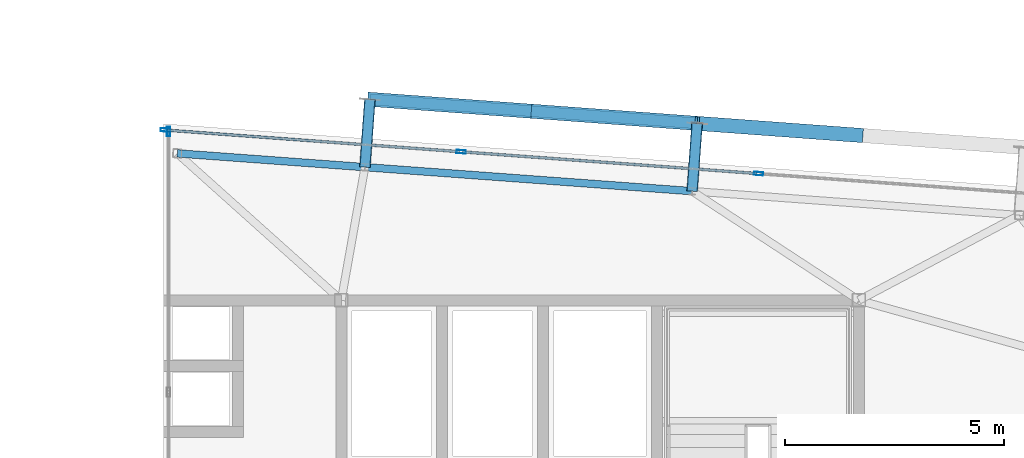
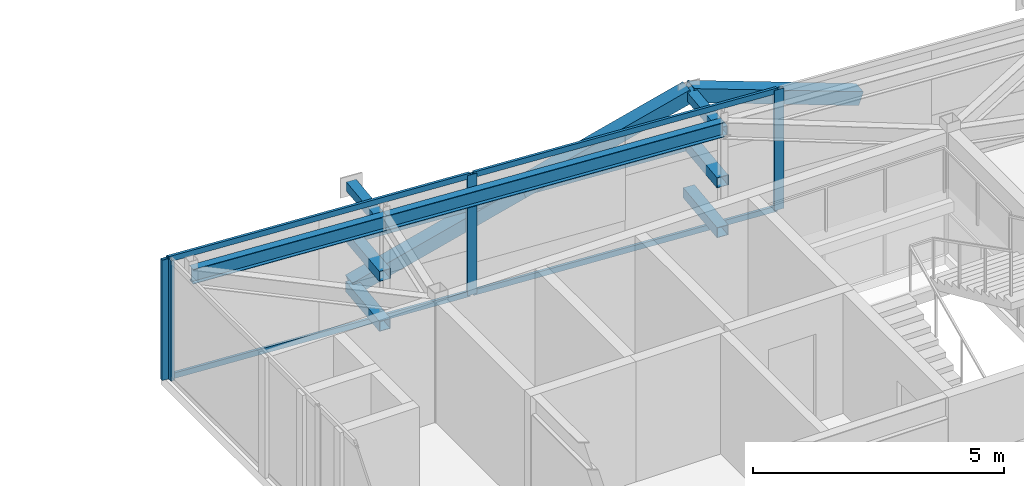
# One storey, part 25 of 39: 18 members, 2 beams, 2 elements without a shape of their own.
"""IFC4 building model written with IfcOpenShell, lengths in metres."""

from ifc_helpers import new_model, si_unit, direction, frame, origin, origin_2d, place, context, subcontext, project, spatial, hollow_rectangle, i_section, extrude, source, transform, mapped, material, layer, layer_set, material_profile, profile_set, type_object, element, aggregate, save


model = new_model("IFC4")

# Units and contexts
model_context = context("Model", 3, precision=1e-05, world=origin(), true_north=direction((0.0, 1.0)))
body_context = subcontext(model_context, "Body", "Model", "MODEL_VIEW")
ifc_project = project(units=[si_unit("LENGTHUNIT", "METRE"), si_unit("AREAUNIT", "SQUARE_METRE"), si_unit("VOLUMEUNIT", "CUBIC_METRE"), si_unit("PLANEANGLEUNIT", "RADIAN"), si_unit("MASSUNIT", "GRAM", prefix="KILO")], contexts=[model_context])

# Site, building, storey
site_placement = place(None, origin())
site = spatial("IfcSite", under=ifc_project, at=site_placement, CompositionType="ELEMENT")
building_placement = place(site_placement, origin())
building = spatial("IfcBuilding", under=site, at=building_placement, Name="Taldren Reach Tower", CompositionType="ELEMENT")
storey_placement = place(building_placement, frame((0.0, 0.0, 230.300048828125)))
storey = spatial("IfcBuildingStorey", under=building, at=storey_placement, Name="L70", CompositionType="ELEMENT", Elevation=230.300048828125)

# Members
ifc_material_1 = material(Name="Steel Gr 350 (C350L0)", Category="steel")
ifc_material_profile_1 = material_profile(ifc_material_1, hollow_rectangle(XDim=0.25, YDim=0.25, WallThickness=0.010009765625, at=origin_2d()), Name="250x250x10.0SHS")
ifc_profile_set_1 = profile_set([ifc_material_profile_1], Name="Steel Gr 350 (C350L0)")
member_type_1 = type_object("IfcMemberType", Name="MB-POST250", PredefinedType="POST", material=ifc_profile_set_1)
shared_shape_1 = source(origin(), body_context, "Body", "SweptSolid", [
    extrude(hollow_rectangle(XDim=0.25, YDim=0.25, WallThickness=0.010009765625, at=origin_2d()), origin(), (0.0, 0.0, 1.0), 1.550048828125),
])
for number, where, z_axis, x_axis, name in (
    (1, (39.739501953125, 35.035400390625, 0.219970703125), (0.07323929162, 0.997314396849, 0.0), (-0.997314396849, 0.07323929162, 0.0), "Exoskeleton base diaphragm tie strut B5-N4 L70"),
    (2, (47.199462890625, 34.487548828125, 0.219970703125), (0.07323929162, 0.997314396849, 0.0), (-0.997314396849, 0.07323929162, 0.0), "Exoskeleton base diaphragm tie strut B5-N5 L70"),
    (3, (39.739501953125, 35.035400390625, 1.43505859375), (0.07323929162, 0.997314396849, 0.0), (-0.997314396849, 0.07323929162, 0.0), "Exoskeleton mid-tier diaphragm tie B5-N4 L70"),
    (4, (47.199462890625, 34.487548828125, 1.43505859375), (0.07323929162, 0.997314396849, 0.0), (-0.997314396849, 0.07323929162, 0.0), "Exoskeleton mid-tier diaphragm tie B5-N5 L70"),
):
    element("IfcMember", number, at=place(storey_placement, frame(where, z_axis=z_axis, x_axis=x_axis)), inside=storey, type_object=member_type_1, Name=name, PredefinedType="POST", context=body_context, shape_type="MappedRepresentation", body=[
        mapped(shared_shape_1, transform((0.0, 0.0, 0.0), scale=1.0)),
    ])
ifc_material_2 = material(Name="Steel Gr 450 (C450L0)", Category="steel")
ifc_material_profile_2 = material_profile(ifc_material_2, hollow_rectangle(XDim=0.219970703125, YDim=0.219970703125, WallThickness=0.00830078125, at=origin_2d()), Name="220x220x8.2SHS")
ifc_profile_set_2 = profile_set([ifc_material_profile_2], Name="Steel Gr 450 (C450L0)")
member_type_2 = type_object("IfcMemberType", Name="MB-TIE219", PredefinedType="STRUT", material=ifc_profile_set_2)
shared_shape_2 = source(origin(), body_context, "Body", "SweptSolid", [
    extrude(hollow_rectangle(XDim=0.219970703125, YDim=0.219970703125, WallThickness=0.00830078125, at=origin_2d()), origin(), (0.0, 0.0, 1.0), 1.550048828125),
])
for number, where, z_axis, x_axis, name in (
    (5, (39.739501953125, 35.035400390625, 2.64990234375), (0.07323929162, 0.997314396849, 0.0), (-0.997314396849, 0.07323929162, 0.0), "Exoskeleton diaphragm tie strut B5-N4 L70"),
    (6, (47.199462890625, 34.487548828125, 2.64990234375), (0.07323929162, 0.997314396849, 0.0), (-0.997314396849, 0.07323929162, 0.0), "Exoskeleton diaphragm tie strut B5-N5 L70"),
):
    element("IfcMember", number, at=place(storey_placement, frame(where, z_axis=z_axis, x_axis=x_axis)), inside=storey, type_object=member_type_2, Name=name, PredefinedType="STRUT", context=body_context, shape_type="MappedRepresentation", body=[
        mapped(shared_shape_2, transform((0.0, 0.0, 0.0), scale=1.0)),
    ])

# Beams
ifc_material_3 = material(Name="Steel Gr 350 (350PLUS)", Category="steel")
ifc_material_profile_3 = material_profile(ifc_material_3, i_section(OverallWidth=0.172119140625, OverallDepth=0.35888671875, WebThickness=0.008056640625, FlangeThickness=0.012939453125, at=origin_2d()), Name="360UB56.7")
ifc_profile_set_3 = profile_set([ifc_material_profile_3], Name="Steel Gr 350 (350PLUS)")
beam_type = type_object("IfcBeamType", Name="SP-UB360", PredefinedType="SPANDREL", material=ifc_profile_set_3)
shared_shape_3 = source(origin(), body_context, "Body", "SweptSolid", [
    extrude(i_section(OverallWidth=0.172119140625, OverallDepth=0.35888671875, WebThickness=0.008056640625, FlangeThickness=0.012939453125, at=origin_2d()), origin(), (0.0, 0.0, 1.0), 7.47998046875),
])
beam_1_placement = place(storey_placement, frame((47.199462890625, 34.487548828125, 2.75048828125), z_axis=(-0.997314220642, 0.07324169103, 0.0), x_axis=(-0.07324169103, -0.997314220642, 0.0)))
element("IfcBeam", 7, at=beam_1_placement, inside=storey, type_object=beam_type, Name="Perimeter spandrel B5 N5-N4 L70", PredefinedType="SPANDREL", context=body_context, shape_type="MappedRepresentation", body=[
    mapped(shared_shape_3, transform((0.0, 0.0, 0.0), scale=1.0)),
])
shared_shape_4 = source(origin(), body_context, "Body", "SweptSolid", [
    extrude(i_section(OverallWidth=0.172119140625, OverallDepth=0.35888671875, WebThickness=0.008056640625, FlangeThickness=0.012939453125, at=origin_2d()), origin(), (0.0, 0.0, 1.0), 4.2900390625),
])
beam_2_placement = place(storey_placement, frame((39.739501953125, 35.035400390625, 2.75048828125), z_axis=(-0.997314292471, 0.073240712948, 0.0), x_axis=(-0.073240712948, -0.997314292471, 0.0)))
element("IfcBeam", 8, at=beam_2_placement, inside=storey, type_object=beam_type, Name="Perimeter spandrel B5 N4-PJN2 L70", PredefinedType="SPANDREL", context=body_context, shape_type="MappedRepresentation", body=[
    mapped(shared_shape_4, transform((0.0, 0.0, 0.0), scale=1.0)),
])

# Members
ifc_material_profile_4 = material_profile(ifc_material_2, hollow_rectangle(XDim=0.324951171875, YDim=0.324951171875, WallThickness=0.0126953125, at=origin_2d()), Name="325x325x12.7SHS")
ifc_profile_set_4 = profile_set([ifc_material_profile_4], Name="Steel Gr 450 (C450L0)")
member_type_3 = type_object("IfcMemberType", Name="MB-BR324", PredefinedType="BRACE", material=ifc_profile_set_4)
shared_shape_5 = source(origin(), body_context, "Body", "SweptSolid", [
    extrude(hollow_rectangle(XDim=0.324951171875, YDim=0.324951171875, WallThickness=0.0126953125, at=origin_2d()), origin(), (0.0, 0.0, 1.0), 3.932373046875),
])
for number, where, z_axis, x_axis, name in (
    (9, (39.85302734375, 36.581298828125, 0.219970703125), (0.948511132845, -0.069657644394, 0.308989390507), (0.07324169103, 0.997314220642, 0.0), "Exoskeleton Diagrid Brace B5-N3 L70"),
    (10, (43.5830078125, 36.307373046875, 1.43505859375), (0.948529326954, -0.06965898055, 0.308933232813), (0.07324169103, 0.997314220642, 0.0), "Exoskeleton Diagrid Brace B5-N3 L70"),
    (11, (51.04296875, 35.759521484375, 1.43505859375), (-0.948529326954, 0.06965898055, 0.308933232813), (-0.07324169103, -0.997314220642, 0.0), "Exoskeleton Diagrid Brace B5-N4 L70"),
):
    element("IfcMember", number, at=place(storey_placement, frame(where, z_axis=z_axis, x_axis=x_axis)), inside=storey, type_object=member_type_3, Name=name, PredefinedType="BRACE", context=body_context, shape_type="MappedRepresentation", body=[
        mapped(shared_shape_5, transform((0.0, 0.0, 0.0), scale=1.0)),
    ])
shared_shape_6 = source(origin(), body_context, "Body", "SweptSolid", [
    extrude(hollow_rectangle(XDim=0.25, YDim=0.25, WallThickness=0.010009765625, at=origin_2d()), origin(), (0.0, 0.0, 1.0), 7.47998046875),
])
member_1_placement = place(storey_placement, frame((39.85302734375, 36.581298828125, 1.43505859375), z_axis=(0.997314220642, -0.07324169103, 0.0), x_axis=(0.07324169103, 0.997314220642, 0.0)))
element("IfcMember", 12, at=member_1_placement, inside=storey, type_object=member_type_1, Name="Exoskeleton mid-height ring chord B5-N3 L70", PredefinedType="POST", context=body_context, shape_type="MappedRepresentation", body=[
    mapped(shared_shape_6, transform((0.0, 0.0, 0.0), scale=1.0)),
])

# Curtain wall, members
ifc_material_4 = material(Name="Aluminium and Low-E Glass Unitised System", Category="aluminium")
ifc_layer = layer(ifc_material_4, 0.159912109375)
ifc_layer_set = layer_set([ifc_layer], Name="Aluminium and Low-E Glass Unitised System")
curtain_wall_type = type_object("IfcCurtainWallType", Name="CW-SYS-7", PredefinedType="NOTDEFINED", material=ifc_layer_set)
curtain_wall_1_placement = place(storey_placement, origin())
curtain_wall_1 = element("IfcCurtainWall", 13, at=curtain_wall_1_placement, inside=storey, type_object=curtain_wall_type, Name="Unitised curtain wall CW-L70-NEWING", PredefinedType="NOTDEFINED")
ifc_material_5 = material(Name="Anodised Aluminium 6063-T6", Category="aluminium")
ifc_material_profile_5 = material_profile(ifc_material_5, hollow_rectangle(XDim=0.074951171875, YDim=0.2099609375, WallThickness=0.00439453125, at=origin_2d()), Name="ALU-210x75x4.5RHS")
ifc_profile_set_5 = profile_set([ifc_material_profile_5], Name="Anodised Aluminium 6063-T6")
member_type_4 = type_object("IfcMemberType", Name="CW-MUL-200", PredefinedType="MULLION", material=ifc_profile_set_5)
shared_shape_7 = source(origin(), body_context, "Body", "SweptSolid", [
    extrude(hollow_rectangle(XDim=0.074951171875, YDim=0.2099609375, WallThickness=0.00439453125, at=origin_2d()), origin(), (0.0, 0.0, 1.0), 2.929931640625),
])
member_2_placement = place(storey_placement, frame((48.713134765625, 34.8876953125, 0.0), z_axis=(0.0, 0.0, 1.0), x_axis=(-0.073238215265, -0.997314475893, 0.0)))
member_2 = element("IfcMember", 14, at=member_2_placement, type_object=member_type_4, Name="CW-7 mullion 2", PredefinedType="MULLION", context=body_context, shape_type="MappedRepresentation", body=[
    mapped(shared_shape_7, transform((0.0, 0.0, 0.0), scale=1.0)),
])
member_3_placement = place(storey_placement, frame((41.931396484375, 35.3857421875, 0.0), z_axis=(0.0, 0.0, 1.0), x_axis=(-0.073238215265, -0.997314475893, 0.0)))
member_3 = element("IfcMember", 15, at=member_3_placement, type_object=member_type_4, Name="CW-7 mullion 3", PredefinedType="MULLION", context=body_context, shape_type="MappedRepresentation", body=[
    mapped(shared_shape_7, transform((0.0, 0.0, 0.0), scale=1.0)),
])
member_4_placement = place(storey_placement, frame((35.1875, 35.881103515625, 0.0), z_axis=(0.0, 0.0, 1.0), x_axis=(-0.073238215265, -0.997314475893, 0.0)))
member_4 = element("IfcMember", 16, at=member_4_placement, type_object=member_type_4, Name="CW-7 mullion 4", PredefinedType="MULLION", context=body_context, shape_type="MappedRepresentation", body=[
    mapped(shared_shape_7, transform((0.0, 0.0, 0.0), scale=1.0)),
])

# Curtain wall, member
curtain_wall_2_placement = place(storey_placement, origin())
curtain_wall_2 = element("IfcCurtainWall", 17, at=curtain_wall_2_placement, inside=storey, type_object=curtain_wall_type, Name="Unitised curtain wall CW7-L70-PNE", PredefinedType="NOTDEFINED")
member_5_placement = place(storey_placement, frame((35.260009765625, 35.84619140625, 0.0), z_axis=(0.0, 0.0, 1.0), x_axis=(1.0, 0.0, 0.0)))
member_5 = element("IfcMember", 18, at=member_5_placement, type_object=member_type_4, Name="CW-7 mullion 1", PredefinedType="MULLION", context=body_context, shape_type="MappedRepresentation", body=[
    mapped(shared_shape_7, transform((0.0, 0.0, 0.0), scale=1.0)),
])
aggregate(curtain_wall_2, [member_5])

# Member
ifc_material_profile_6 = material_profile(ifc_material_5, hollow_rectangle(XDim=0.06005859375, YDim=0.135009765625, WallThickness=0.00341796875, at=origin_2d()), Name="ALU-135x60x3.5RHS")
ifc_profile_set_6 = profile_set([ifc_material_profile_6], Name="Anodised Aluminium 6063-T6")
member_type_5 = type_object("IfcMemberType", Name="CW-TRN-150", PredefinedType="USERDEFINED", material=ifc_profile_set_6)
shared_shape_8 = source(origin(), body_context, "Body", "SweptSolid", [
    extrude(hollow_rectangle(XDim=0.06005859375, YDim=0.135009765625, WallThickness=0.00341796875, at=origin_2d()), origin(), (0.0, 0.0, 1.0), 6.687255859375),
])
member_6_placement = place(storey_placement, frame((41.89404296875, 35.388671875, 0.030029296875), z_axis=(-0.997314570781, 0.073236923124, 0.0), x_axis=(-0.073236923124, -0.997314570781, 0.0)))
member_6 = element("IfcMember", 19, at=member_6_placement, type_object=member_type_5, Name="CW-7 transom 3.1", ObjectType="TRANSOM", PredefinedType="USERDEFINED", context=body_context, shape_type="MappedRepresentation", body=[
    mapped(shared_shape_8, transform((0.0, 0.0, 0.0), scale=1.0)),
])

member_7_placement = place(storey_placement, frame((41.89404296875, 35.388671875, 2.89990234375), z_axis=(-0.997314570781, 0.073236923124, 0.0), x_axis=(-0.073236923124, -0.997314570781, 0.0)))
member_7 = element("IfcMember", 20, at=member_7_placement, type_object=member_type_5, Name="CW-7 transom 3.2", ObjectType="TRANSOM", PredefinedType="USERDEFINED", context=body_context, shape_type="MappedRepresentation", body=[
    mapped(shared_shape_8, transform((0.0, 0.0, 0.0), scale=1.0)),
])

shared_shape_9 = source(origin(), body_context, "Body", "SweptSolid", [
    extrude(hollow_rectangle(XDim=0.06005859375, YDim=0.135009765625, WallThickness=0.00341796875, at=origin_2d()), origin(), (0.0, 0.0, 1.0), 6.724609375),
])
member_8_placement = place(storey_placement, frame((48.675537109375, 34.890625, 0.030029296875), z_axis=(-0.997315195027, 0.073228421855, 0.0), x_axis=(-0.073228421855, -0.997315195027, 0.0)))
member_8 = element("IfcMember", 21, at=member_8_placement, type_object=member_type_5, Name="CW-7 transom 2.1", ObjectType="TRANSOM", PredefinedType="USERDEFINED", context=body_context, shape_type="MappedRepresentation", body=[
    mapped(shared_shape_9, transform((0.0, 0.0, 0.0), scale=1.0)),
])

member_9_placement = place(storey_placement, frame((48.675537109375, 34.890625, 2.89990234375), z_axis=(-0.997315195027, 0.073228421855, 0.0), x_axis=(-0.073228421855, -0.997315195027, 0.0)))
member_9 = element("IfcMember", 22, at=member_9_placement, type_object=member_type_5, Name="CW-7 transom 2.2", ObjectType="TRANSOM", PredefinedType="USERDEFINED", context=body_context, shape_type="MappedRepresentation", body=[
    mapped(shared_shape_9, transform((0.0, 0.0, 0.0), scale=1.0)),
])

aggregate(curtain_wall_1, [member_2, member_3, member_4, member_8, member_9, member_6, member_7])

save(model, "model.ifc")
